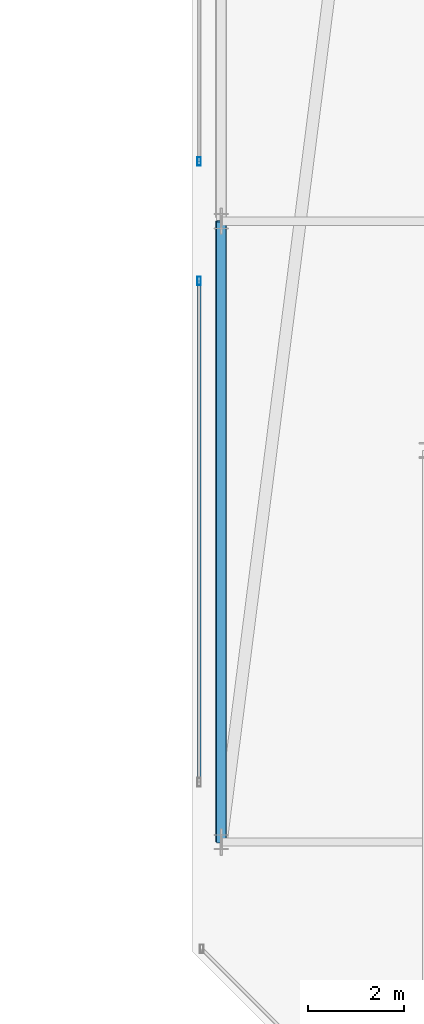
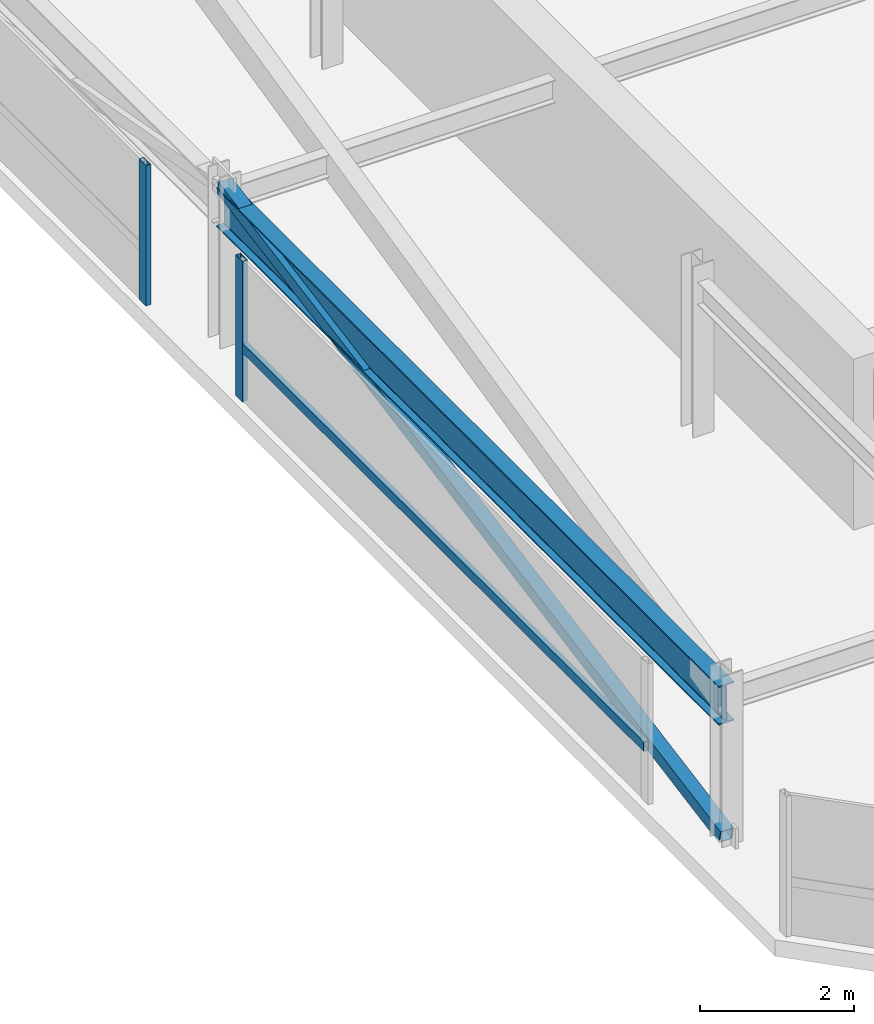
# One storey, part 22 of 44: 4 members, 1 beam, 2 elements without a shape of their own.
"""IFC4 building model written with IfcOpenShell, lengths in metres."""

from ifc_helpers import new_model, si_unit, direction, frame, origin, origin_2d, place, context, subcontext, project, spatial, hollow_rectangle, i_section, extrude, material, material_profile, profile_set, type_object, element, aggregate, save


model = new_model("IFC4")

# Units and contexts
model_context = context("Model", 3, precision=1e-05, world=origin(), true_north=direction((0.0, 1.0)))
body_context = subcontext(model_context, "Body", "Model", "MODEL_VIEW")
ifc_project = project(units=[si_unit("LENGTHUNIT", "METRE"), si_unit("AREAUNIT", "SQUARE_METRE"), si_unit("VOLUMEUNIT", "CUBIC_METRE"), si_unit("PLANEANGLEUNIT", "RADIAN"), si_unit("MASSUNIT", "GRAM", prefix="KILO")], contexts=[model_context])

# Site, building, storey
site_placement = place(None, origin())
site = spatial("IfcSite", under=ifc_project, at=site_placement, CompositionType="ELEMENT")
building_placement = place(site_placement, origin())
building = spatial("IfcBuilding", under=site, at=building_placement, Name="Thornwick Lancets Civic Towers", CompositionType="ELEMENT")
storey_placement = place(building_placement, frame((0.0, 0.0, 292.199951171875)))
storey = spatial("IfcBuildingStorey", under=building, at=storey_placement, Name="C05", CompositionType="ELEMENT", Elevation=292.199951171875)

# Beam
ifc_material_1 = material(Name="Steel S355JR", Category="steel")
ifc_material_profile_1 = material_profile(ifc_material_1, i_section(OverallWidth=0.230224609375, OverallDepth=0.6171875, WebThickness=0.01318359375, FlangeThickness=0.022216796875, FilletRadius=0.0126953125, at=origin_2d()), Name="UKB 610x229x140")
ifc_profile_set_1 = profile_set([ifc_material_profile_1], Name="Steel S355JR")
beam_type = type_object("IfcBeamType", Name="BM_GIRD_610_140", PredefinedType="BEAM", material=ifc_profile_set_1)
beam_placement = place(storey_placement, frame((71.199951171875, 14.0, 2.13134765625), z_axis=(0.0, 1.0, 0.0), x_axis=(-1.0, 0.0, 0.0)))
element("IfcBeam", 1, at=beam_placement, inside=storey, type_object=beam_type, Name="BM-SPINE-C05-B-6-7", PredefinedType="BEAM", context=body_context, shape_type="SweptSolid", body=[
    extrude(i_section(OverallWidth=0.230224609375, OverallDepth=0.6171875, WebThickness=0.01318359375, FlangeThickness=0.022216796875, FilletRadius=0.0126953125, at=origin_2d()), origin(), (0.0, 0.0, 1.0), 13.0),
])

# Curtain wall, member
ifc_material_2 = material(Name="Crown ring acoustic-louvre and glazing screen wall", Category="glass")
curtain_wall_type = type_object("IfcCurtainWallType", Name="CW_SYS_07", PredefinedType="NOTDEFINED", material=ifc_material_2)
curtain_wall_1_placement = place(storey_placement, origin())
curtain_wall_1 = element("IfcCurtainWall", 2, at=curtain_wall_1_placement, inside=storey, type_object=curtain_wall_type, Name="C05 Curtain Wall CW-C05-B-E6-S2", PredefinedType="NOTDEFINED")
ifc_material_3 = material(Name="Thermally broken bronze aluminium S355", Category="steel")
ifc_material_profile_2 = material_profile(ifc_material_3, hollow_rectangle(XDim=0.074951171875, YDim=0.179931640625, WallThickness=0.006103515625, at=origin_2d()), Name="RHS 180x75x6")
ifc_profile_set_2 = profile_set([ifc_material_profile_2], Name="Thermally broken bronze aluminium S355")
member_type_1 = type_object("IfcMemberType", Name="CW_MUL_180", PredefinedType="MULLION", material=ifc_profile_set_2)
member_1_placement = place(storey_placement, frame((70.7353515625, 28.25, 0.0), z_axis=(0.0, 0.0, 1.0), x_axis=(1.0, 0.0, 0.0)))
member_1 = element("IfcMember", 3, at=member_1_placement, type_object=member_type_1, Name="CW-C05-B-E6-S2 Mullion 1", PredefinedType="MULLION", context=body_context, shape_type="SweptSolid", body=[
    extrude(hollow_rectangle(XDim=0.074951171875, YDim=0.179931640625, WallThickness=0.006103515625, at=origin_2d()), origin(), (0.0, 0.0, 1.0), 2.219970703125),
])
aggregate(curtain_wall_1, [member_1])

# Curtain wall, members
curtain_wall_2_placement = place(storey_placement, origin())
curtain_wall_2 = element("IfcCurtainWall", 4, at=curtain_wall_2_placement, inside=storey, type_object=curtain_wall_type, Name="C05 Curtain Wall CW-C05-B-E6-S3", PredefinedType="NOTDEFINED")
member_2_placement = place(storey_placement, frame((70.7353515625, 25.75, 0.0), z_axis=(0.0, 0.0, 1.0), x_axis=(1.0, 0.0, 0.0)))
member_2 = element("IfcMember", 5, at=member_2_placement, type_object=member_type_1, Name="CW-C05-B-E6-S3 Mullion 0", PredefinedType="MULLION", context=body_context, shape_type="SweptSolid", body=[
    extrude(hollow_rectangle(XDim=0.074951171875, YDim=0.179931640625, WallThickness=0.006103515625, at=origin_2d()), origin(), (0.0, 0.0, 1.0), 2.219970703125),
])
ifc_material_profile_3 = material_profile(ifc_material_3, hollow_rectangle(XDim=0.074951171875, YDim=0.14990234375, WallThickness=0.0048828125, at=origin_2d()), Name="RHS 150x75x5")
ifc_profile_set_3 = profile_set([ifc_material_profile_3], Name="Thermally broken bronze aluminium S355")
member_type_2 = type_object("IfcMemberType", Name="CW_TRN_150", PredefinedType="USERDEFINED", material=ifc_profile_set_3)
member_3_placement = place(storey_placement, frame((70.7353515625, 25.72998046875, 0.85009765625), z_axis=(0.0, -1.0, 0.0), x_axis=(1.0, 0.0, 0.0)))
member_3 = element("IfcMember", 6, at=member_3_placement, type_object=member_type_2, Name="CW-C05-B-E6-S3 Transom 0", ObjectType="TRANSOM", PredefinedType="USERDEFINED", context=body_context, shape_type="SweptSolid", body=[
    extrude(hollow_rectangle(XDim=0.074951171875, YDim=0.14990234375, WallThickness=0.0048828125, at=origin_2d()), origin(), (0.0, 0.0, 1.0), 10.4599609375),
])
aggregate(curtain_wall_2, [member_2, member_3])

# Member
ifc_material_profile_4 = material_profile(ifc_material_1, hollow_rectangle(XDim=0.199951171875, YDim=0.199951171875, WallThickness=0.012451171875, at=origin_2d()), Name="SHS 200x200x12.5")
ifc_profile_set_4 = profile_set([ifc_material_profile_4], Name="Steel S355JR")
member_type_3 = type_object("IfcMemberType", Name="MEM_CROWN_SHS200", PredefinedType="BRACE", material=ifc_profile_set_4)
member_4_placement = place(storey_placement, frame((71.199951171875, 14.0, 0.050048828125), z_axis=(0.0, 0.98351842104, 0.180807951915), x_axis=(-1.0, 0.0, 0.0)))
element("IfcMember", 7, at=member_4_placement, inside=storey, type_object=member_type_3, Name="C05 Crown Ring Lancet Rib B-S2-L", PredefinedType="BRACE", context=body_context, shape_type="SweptSolid", body=[
    extrude(hollow_rectangle(XDim=0.199951171875, YDim=0.199951171875, WallThickness=0.012451171875, at=origin_2d()), origin(), (0.0, 0.0, 1.0), 13.2177734375),
])

save(model, "model.ifc")
